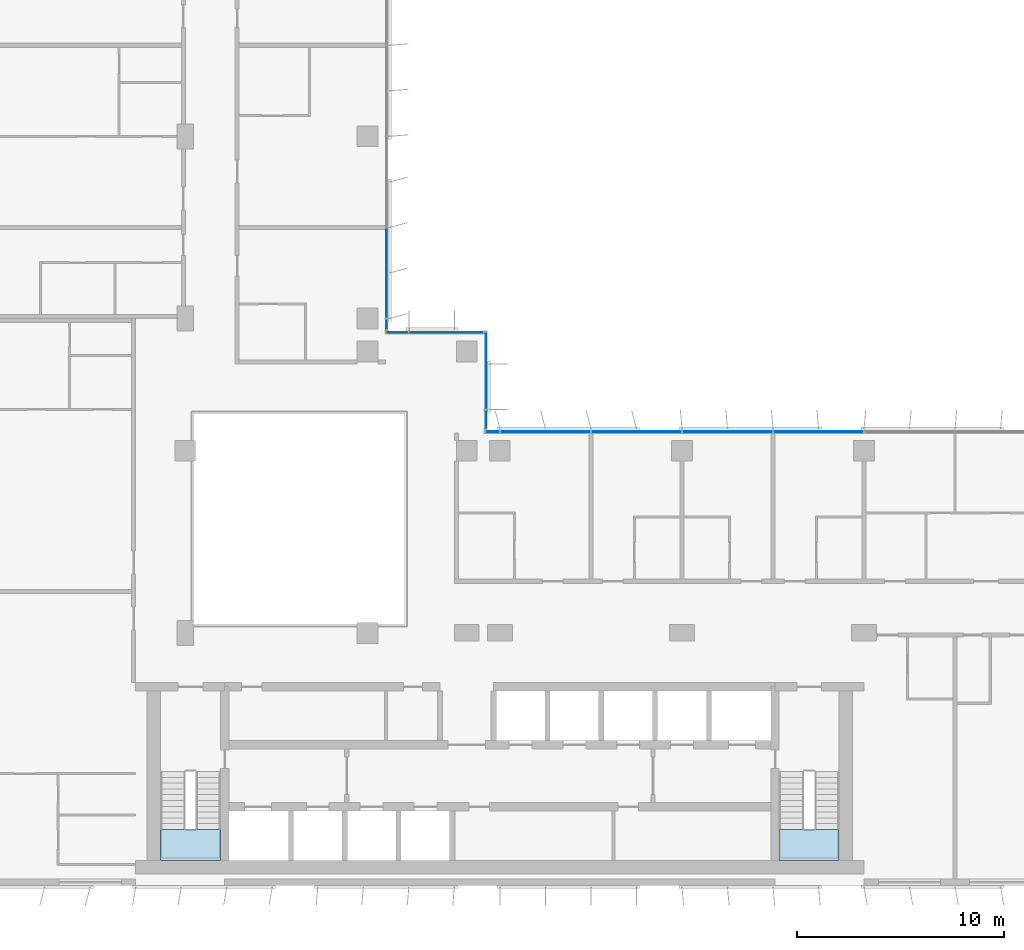
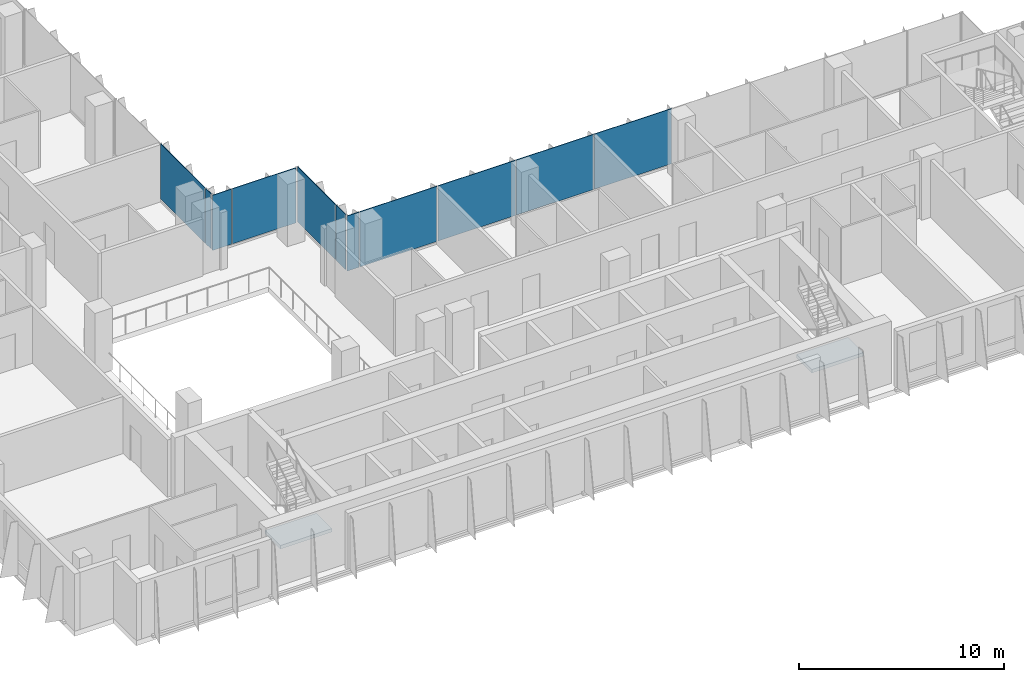
# One storey, part 10 of 21: 11 plates, 2 slabs, 6 elements without a shape of their own.
"""IFC4 building model written with IfcOpenShell, lengths in metres."""

import ifcopenshell
import ifcopenshell.guid

model = None  # the IFC model being written
_history = None  # IfcOwnerHistory: only IFC2X3 demands one
_inside = {}  # id of a spatial element -> (the spatial element, [elements in it])
_under = {}  # id of a project, library or spatial element -> (it, [spatial elements below it])
_declared = {}  # id of a project -> (the project, [libraries it declares])
_typed = {}  # id of a type object -> (the type object, [elements of that type])
_made_of = {}  # id of a material, layer set ... -> (it, [elements and type objects made of it])


def new_model(schema):
    """Start an empty IFC model of exactly this schema.

    Asked for "IFC4X3", IfcOpenShell would pick the latest addendum, in which some entities
    have other attributes; the version numbers below select the first issue.
    IFC2X3 requires an IfcOwnerHistory on every rooted entity: one is made here for all.
    """
    global model, _history
    if schema == "IFC4X3":
        model = ifcopenshell.file(schema_version=(4, 3, 0, 0))
    else:
        model = ifcopenshell.file(schema=schema)
    _inside.clear()
    _under.clear()
    _declared.clear()
    _typed.clear()
    _made_of.clear()
    _history = None
    if model.schema == "IFC2X3":
        org = make("IfcOrganization", Name="unknown")
        user = make(
            "IfcPersonAndOrganization",
            ThePerson=make("IfcPerson", FamilyName="unknown"),
            TheOrganization=org,
        )
        app = make(
            "IfcApplication",
            ApplicationDeveloper=org,
            Version="unknown",
            ApplicationFullName="unknown",
            ApplicationIdentifier="unknown",
        )
        _history = make(
            "IfcOwnerHistory",
            OwningUser=user,
            OwningApplication=app,
            ChangeAction="ADDED",
            CreationDate=0,
        )
    return model


def make(cls, **values):
    """One entity of the class cls with the attributes given. An attribute that is None is left unset."""
    return model.create_entity(
        cls, **{name: value for name, value in values.items() if value is not None}
    )


def rooted(cls, **values):
    """An entity with a GlobalId (a new one), such as an element, a storey or a relation."""
    return make(cls, GlobalId=ifcopenshell.guid.new(), OwnerHistory=_history, **values)


def si_unit(unit_type, name, prefix=None):
    """IfcSIUnit, for example si_unit("LENGTHUNIT", "METRE", prefix="MILLI")."""
    return make("IfcSIUnit", UnitType=unit_type, Prefix=prefix, Name=name)


def assignment(units):
    """IfcUnitAssignment: the units of a project."""
    return None if units is None else make("IfcUnitAssignment", Units=units)


def point(xyz):
    """IfcCartesianPoint."""
    return None if xyz is None else make("IfcCartesianPoint", Coordinates=xyz)


def direction(xyz):
    """IfcDirection."""
    return None if xyz is None else make("IfcDirection", DirectionRatios=xyz)


def frame(location, z_axis=None, x_axis=None):
    """IfcAxis2Placement3D, a coordinate frame: its origin and axes. An axis left out is left unset."""
    return make(
        "IfcAxis2Placement3D",
        Location=point(location),
        Axis=direction(z_axis),
        RefDirection=direction(x_axis),
    )


def frame_2d(location, x_axis=None):
    """IfcAxis2Placement2D, a coordinate frame in the plane: its origin and x axis."""
    return make(
        "IfcAxis2Placement2D", Location=point(location), RefDirection=direction(x_axis)
    )


def origin():
    """The frame at (0, 0, 0) with its axes left unset."""
    return frame((0.0, 0.0, 0.0))


def origin_2d():
    """The frame at (0, 0) in the plane with its x axis left unset."""
    return frame_2d((0.0, 0.0))


def place(relative_to, where):
    """IfcLocalPlacement: puts the frame where relative to a parent placement (None: the world)."""
    return make(
        "IfcLocalPlacement", PlacementRelTo=relative_to, RelativePlacement=where
    )


def context(
    kind, dimensions, precision=None, world=None, true_north=None, identifier=None
):
    """IfcGeometricRepresentationContext, for example the 3D "Model" context."""
    return make(
        "IfcGeometricRepresentationContext",
        ContextIdentifier=identifier,
        ContextType=kind,
        CoordinateSpaceDimension=dimensions,
        Precision=precision,
        WorldCoordinateSystem=world,
        TrueNorth=true_north,
    )


def subcontext(parent, identifier, kind, view, scale=None):
    """IfcGeometricRepresentationSubContext, for example "Body" below "Model"."""
    return make(
        "IfcGeometricRepresentationSubContext",
        ContextIdentifier=identifier,
        ContextType=kind,
        ParentContext=parent,
        TargetScale=scale,
        TargetView=view,
    )


def project(units=None, contexts=None):
    """IfcProject with its units and contexts."""
    return rooted(
        "IfcProject",
        Name="project",
        RepresentationContexts=contexts,
        UnitsInContext=assignment(units),
    )


def spatial(cls, under=None, at=None, **own):
    """A site, building, storey or space (cls), placed at a placement, below another one or the project."""
    s = rooted(cls, ObjectPlacement=at, **own)
    if under is not None:
        _under.setdefault(under.id(), (under, []))[1].append(s)
    return s


def polyline(points):
    """IfcPolyline through the points."""
    return make("IfcPolyline", Points=[point(p) for p in points])


def profile(cls, at=None, kind="AREA", **sizes):
    """A parametric profile (cls). Its sizes go by their IFC names, for example OverallWidth=200.0."""
    return make(cls, ProfileType=kind, Position=at, **sizes)


def rectangle(**sizes):
    """IfcRectangleProfileDef."""
    return profile("IfcRectangleProfileDef", **sizes)


def outline(outer, holes=None, kind="AREA"):
    """IfcArbitraryClosedProfileDef: a profile drawn as a closed curve; with holes, ...WithVoids."""
    if holes is None:
        return make("IfcArbitraryClosedProfileDef", ProfileType=kind, OuterCurve=outer)
    return make(
        "IfcArbitraryProfileDefWithVoids",
        ProfileType=kind,
        OuterCurve=outer,
        InnerCurves=holes,
    )


def extrude(swept, where, along, depth):
    """IfcExtrudedAreaSolid: the profile swept, set in the frame where, extruded along a direction by depth."""
    return make(
        "IfcExtrudedAreaSolid",
        SweptArea=swept,
        Position=where,
        ExtrudedDirection=direction(along),
        Depth=depth,
    )


def shape(context_of_items, identifier, shape_type, items):
    """IfcShapeRepresentation: the items that make up one representation, for example the "Body"."""
    return make(
        "IfcShapeRepresentation",
        ContextOfItems=context_of_items,
        RepresentationIdentifier=identifier,
        RepresentationType=shape_type,
        Items=items,
    )


def source(mapping_origin, context_of_items, identifier, shape_type, items):
    """IfcRepresentationMap: a shape defined once, which mapped items show again and again."""
    return make(
        "IfcRepresentationMap",
        MappingOrigin=mapping_origin,
        MappedRepresentation=shape(context_of_items, identifier, shape_type, items),
    )


def transform(
    local_origin,
    x_axis=None,
    y_axis=None,
    z_axis=None,
    scale=None,
    scale2=None,
    scale3=None,
    uniform=True,
):
    """IfcCartesianTransformationOperator3D, or its non-uniform kind. x_axis, y_axis, z_axis: its Axis1, 2, 3."""
    if uniform:
        return make(
            "IfcCartesianTransformationOperator3D",
            Axis1=direction(x_axis),
            Axis2=direction(y_axis),
            LocalOrigin=point(local_origin),
            Scale=scale,
            Axis3=direction(z_axis),
        )
    return make(
        "IfcCartesianTransformationOperator3DnonUniform",
        Axis1=direction(x_axis),
        Axis2=direction(y_axis),
        LocalOrigin=point(local_origin),
        Scale=scale,
        Axis3=direction(z_axis),
        Scale2=scale2,
        Scale3=scale3,
    )


def mapped(mapping_source, mapping_target):
    """IfcMappedItem: shows the shape of a source again, moved by a transform."""
    return make(
        "IfcMappedItem", MappingSource=mapping_source, MappingTarget=mapping_target
    )


def material(Name=None, Category=None):
    """IfcMaterial."""
    return make("IfcMaterial", Name=Name, Category=Category)


def layer(
    of_material, thickness, ventilated=None, Name=None, Category=None, Priority=None
):
    """IfcMaterialLayer: one layer of a wall or slab, of a material (None: an air gap)."""
    return make(
        "IfcMaterialLayer",
        Material=of_material,
        LayerThickness=thickness,
        IsVentilated=ventilated,
        Name=Name,
        Category=Category,
        Priority=Priority,
    )


def layer_set(layers, Name=None):
    """IfcMaterialLayerSet."""
    return make("IfcMaterialLayerSet", MaterialLayers=layers, LayerSetName=Name)


def made_of(thing, what):
    """Note that an element or type object is made of a material, layer set ...; save() writes the relation."""
    if what is not None:
        _made_of.setdefault(what.id(), (what, []))[1].append(thing)
    return thing


def type_object(cls, material=None, **own):
    """A type object (cls), such as IfcWallType, which elements share."""
    return made_of(rooted(cls, **own), material)


def element(
    cls,
    number,
    at=None,
    inside=None,
    cuts=None,
    type_object=None,
    material=None,
    context=None,
    identifier="Body",
    shape_type=None,
    held_by="IfcProductDefinitionShape",
    body=None,
    shapes=None,
    **own,
):
    """One element of the class cls, such as IfcWall. Its Tag is "e" and its number.

    at: its placement. inside: the storey or other place that contains it. cuts: it is an
    opening in that element (IfcRelVoidsElement). A single representation is given by context,
    identifier, shape_type and body (its items); several are given by shapes. held_by: the class
    of the entity that holds the representations. save() writes the other relations.
    """
    e = rooted(cls, Tag="e%d" % number, ObjectPlacement=at, **own)
    if body is not None:
        shapes = [shape(context, identifier, shape_type, body)]
    if shapes is not None:
        e.Representation = make(held_by, Representations=shapes)
    if inside is not None:
        _inside.setdefault(inside.id(), (inside, []))[1].append(e)
    if cuts is not None:
        rooted(
            "IfcRelVoidsElement", RelatingBuildingElement=cuts, RelatedOpeningElement=e
        )
    if type_object is not None:
        _typed.setdefault(type_object.id(), (type_object, []))[1].append(e)
    return made_of(e, material)


def aggregate(whole, parts):
    """IfcRelAggregates: a whole, such as a stair, and the parts it consists of."""
    return rooted("IfcRelAggregates", RelatingObject=whole, RelatedObjects=parts)


def save(model, path):
    """Write the relations noted so far, then the file.

    IfcRelAggregates (storeys below a building ...), IfcRelContainedInSpatialStructure (elements
    in a storey), IfcRelDefinesByType, IfcRelAssociatesMaterial and IfcRelDeclares: one each for
    every whole, place, type object, material and project.
    """
    for whole, parts in _under.values():
        aggregate(whole, parts)
    for where, things in _inside.values():
        rooted(
            "IfcRelContainedInSpatialStructure",
            RelatedElements=things,
            RelatingStructure=where,
        )
    for kind, things in _typed.values():
        rooted("IfcRelDefinesByType", RelatedObjects=things, RelatingType=kind)
    for what, things in _made_of.values():
        rooted("IfcRelAssociatesMaterial", RelatedObjects=things, RelatingMaterial=what)
    for by, libraries in _declared.values():
        rooted("IfcRelDeclares", RelatingContext=by, RelatedDefinitions=libraries)
    model.write(path)


model = new_model("IFC4")

# Units and contexts
model_context = context("Model", 3, precision=1e-05, world=origin(), true_north=direction((0.0, 1.0)))
body_context = subcontext(model_context, "Body", "Model", "MODEL_VIEW")
ifc_project = project(units=[si_unit("LENGTHUNIT", "METRE"), si_unit("AREAUNIT", "SQUARE_METRE"), si_unit("VOLUMEUNIT", "CUBIC_METRE"), si_unit("PLANEANGLEUNIT", "RADIAN"), si_unit("MASSUNIT", "GRAM", prefix="KILO")], contexts=[model_context])

# Site, building, storey
site_placement = place(None, origin())
site = spatial("IfcSite", under=ifc_project, at=site_placement, CompositionType="ELEMENT")
building_placement = place(site_placement, origin())
building = spatial("IfcBuilding", under=site, at=building_placement, Name="Kemantara Hotel Tower", CompositionType="ELEMENT")
storey_placement = place(building_placement, frame((0.0, 0.0, 211.699951171875)))
storey = spatial("IfcBuildingStorey", under=building, at=storey_placement, Name="L52", CompositionType="ELEMENT", Elevation=211.699951171875)

# Stair, slab
ifc_material_1 = material(Name="Concrete fc 40 MPa", Category="concrete")
stair_type = type_object("IfcStairType", Name="Stair 1200 wide 22 risers of 168 x 280 mm", PredefinedType="HALF_TURN_STAIR", material=ifc_material_1)
stair_1_placement = place(storey_placement, origin())
stair_1 = element("IfcStair", 1, at=stair_1_placement, inside=storey, type_object=stair_type, Name="L52 Exit stair ST1", PredefinedType="HALF_TURN_STAIR")
ifc_layer_1 = layer(ifc_material_1, 0.199951171875)
ifc_layer_set_1 = layer_set([ifc_layer_1], Name="Concrete fc 40 MPa")
slab_type = type_object("IfcSlabType", Name="Stair landing 200 mm", PredefinedType="LANDING", material=ifc_layer_set_1)
slab_1_placement = place(storey_placement, frame((0.0, 0.0, 1.650146484375)))
slab_1 = element("IfcSlab", 2, at=slab_1_placement, type_object=slab_type, Name="ST1 landing 1", PredefinedType="LANDING", context=body_context, shape_type="SweptSolid", body=[
    extrude(outline(polyline([(11.0, 2.699951171875), (11.0, 1.199951171875), (13.89990234375, 1.199951171875), (13.89990234375, 2.699951171875), (11.0, 2.699951171875)])), origin(), (0.0, 0.0, 1.0), 0.199951171875),
])
aggregate(stair_1, [slab_1])

stair_2_placement = place(storey_placement, origin())
stair_2 = element("IfcStair", 3, at=stair_2_placement, inside=storey, type_object=stair_type, Name="L52 Exit stair ST2", PredefinedType="HALF_TURN_STAIR")
slab_2_placement = place(storey_placement, frame((0.0, 0.0, 1.650146484375)))
slab_2 = element("IfcSlab", 4, at=slab_2_placement, type_object=slab_type, Name="ST2 landing 1", PredefinedType="LANDING", context=body_context, shape_type="SweptSolid", body=[
    extrude(outline(polyline([(40.89990234375, 2.699951171875), (40.89990234375, 1.199951171875), (43.800048828125, 1.199951171875), (43.800048828125, 2.699951171875), (40.89990234375, 2.699951171875)])), origin(), (0.0, 0.0, 1.0), 0.199951171875),
])
aggregate(stair_2, [slab_2])

# Curtain wall, plates
ifc_material_2 = material(Name="Low-E tinted double insulated glass 36 mm", Category="glass")
curtain_wall_type = type_object("IfcCurtainWallType", Name="TOWER CURTAIN WALL, FRONT FACES", PredefinedType="USERDEFINED", material=ifc_material_2)
curtain_wall_1_placement = place(storey_placement, origin())
curtain_wall_1 = element("IfcCurtainWall", 5, at=curtain_wall_1_placement, inside=storey, type_object=curtain_wall_type, Name="CW4 L52 T3-R14-1", ObjectType="TOWER CURTAIN WALL, FRONT FACES", PredefinedType="USERDEFINED")
ifc_layer_2 = layer(ifc_material_2, 0.035888671875)
ifc_layer_set_2 = layer_set([ifc_layer_2], Name="Low-E tinted double insulated glass 36 mm")
plate_type = type_object("IfcPlateType", Name="TOWER CURTAIN WALL, FRONT FACES PANEL", PredefinedType="CURTAIN_PANEL", material=ifc_layer_set_2)
shared_shape_1 = source(origin(), body_context, "Body", "SweptSolid", [
    extrude(rectangle(XDim=4.340087890625, YDim=0.035888671875, at=origin_2d()), origin(), (0.0, 0.0, 1.0), 3.280029296875),
])
plate_1_placement = place(storey_placement, frame((42.800048828125, 21.925048828125, 0.1201171875), z_axis=(0.0, 0.0, 1.0), x_axis=(-1.0, 0.0, 0.0)))
plate_1 = element("IfcPlate", 6, at=plate_1_placement, type_object=plate_type, Name="CW4 glass panel T3-R14-1.5", PredefinedType="CURTAIN_PANEL", context=body_context, shape_type="MappedRepresentation", body=[
    mapped(shared_shape_1, transform((0.0, 0.0, 0.0))),
])
plate_2_placement = place(storey_placement, frame((38.39990234375, 21.925048828125, 0.1201171875), z_axis=(0.0, 0.0, 1.0), x_axis=(-1.0, 0.0, 0.0)))
plate_2 = element("IfcPlate", 7, at=plate_2_placement, type_object=plate_type, Name="CW4 glass panel T3-R14-1.6", PredefinedType="CURTAIN_PANEL", context=body_context, shape_type="MappedRepresentation", body=[
    mapped(shared_shape_1, transform((0.0, 0.0, 0.0))),
])
plate_3_placement = place(storey_placement, frame((34.0, 21.925048828125, 0.1201171875), z_axis=(0.0, 0.0, 1.0), x_axis=(-1.0, 0.0, 0.0)))
plate_3 = element("IfcPlate", 8, at=plate_3_placement, type_object=plate_type, Name="CW4 glass panel T3-R14-1.7", PredefinedType="CURTAIN_PANEL", context=body_context, shape_type="MappedRepresentation", body=[
    mapped(shared_shape_1, transform((0.0, 0.0, 0.0))),
])
plate_4_placement = place(storey_placement, frame((29.60009765625, 21.925048828125, 0.1201171875), z_axis=(0.0, 0.0, 1.0), x_axis=(-1.0, 0.0, 0.0)))
plate_4 = element("IfcPlate", 9, at=plate_4_placement, type_object=plate_type, Name="CW4 glass panel T3-R14-1.8", PredefinedType="CURTAIN_PANEL", context=body_context, shape_type="MappedRepresentation", body=[
    mapped(shared_shape_1, transform((0.0, 0.0, 0.0))),
])

# Curtain wall, plate
curtain_wall_2_placement = place(storey_placement, origin())
curtain_wall_2 = element("IfcCurtainWall", 10, at=curtain_wall_2_placement, inside=storey, type_object=curtain_wall_type, Name="CW4 L52 T3-R17-1", ObjectType="TOWER CURTAIN WALL, FRONT FACES", PredefinedType="USERDEFINED")
plate_5_placement = place(storey_placement, frame((21.925048828125, 29.60009765625, 0.1201171875), z_axis=(0.0, 0.0, 1.0), x_axis=(0.0, 1.0, 0.0)))
plate_5 = element("IfcPlate", 11, at=plate_5_placement, type_object=plate_type, Name="CW4 glass panel T3-R17-1.2", PredefinedType="CURTAIN_PANEL", context=body_context, shape_type="MappedRepresentation", body=[
    mapped(shared_shape_1, transform((0.0, 0.0, 0.0))),
])

# Plate
shared_shape_2 = source(origin(), body_context, "Body", "SweptSolid", [
    extrude(rectangle(XDim=0.659912109375, YDim=0.035888671875, at=origin_2d()), origin(), (0.0, 0.0, 1.0), 3.280029296875),
])
plate_6_placement = place(storey_placement, frame((27.0400390625, 21.925048828125, 0.1201171875), z_axis=(0.0, 0.0, 1.0), x_axis=(-1.0, 0.0, 0.0)))
plate_6 = element("IfcPlate", 12, at=plate_6_placement, type_object=plate_type, Name="CW4 glass panel T3-R14-1.9", PredefinedType="CURTAIN_PANEL", context=body_context, shape_type="MappedRepresentation", body=[
    mapped(shared_shape_2, transform((0.0, 0.0, 0.0))),
])

aggregate(curtain_wall_1, [plate_1, plate_2, plate_3, plate_4, plate_6])

shared_shape_3 = source(origin(), body_context, "Body", "SweptSolid", [
    extrude(rectangle(XDim=0.510009765625, YDim=0.035888671875, at=origin_2d()), origin(), (0.0, 0.0, 1.0), 3.280029296875),
])
plate_7_placement = place(storey_placement, frame((21.925048828125, 27.114990234375, 0.1201171875), z_axis=(0.0, 0.0, 1.0), x_axis=(0.0, 1.0, 0.0)))
plate_7 = element("IfcPlate", 13, at=plate_7_placement, type_object=plate_type, Name="CW4 glass panel T3-R17-1.1", PredefinedType="CURTAIN_PANEL", context=body_context, shape_type="MappedRepresentation", body=[
    mapped(shared_shape_3, transform((0.0, 0.0, 0.0))),
])

aggregate(curtain_wall_2, [plate_7, plate_5])

# Curtain wall, plates
curtain_wall_3_placement = place(storey_placement, origin())
curtain_wall_3 = element("IfcCurtainWall", 14, at=curtain_wall_3_placement, inside=storey, type_object=curtain_wall_type, Name="CW4 L52 T3-R15-1", ObjectType="TOWER CURTAIN WALL, FRONT FACES", PredefinedType="USERDEFINED")
shared_shape_4 = source(origin(), body_context, "Body", "SweptSolid", [
    extrude(rectangle(XDim=0.909912109375, YDim=0.035888671875, at=origin_2d()), origin(), (0.0, 0.0, 1.0), 3.280029296875),
])
plate_8_placement = place(storey_placement, frame((26.72509765625, 22.514892578125, 0.1201171875), z_axis=(0.0, 0.0, 1.0), x_axis=(0.0, 1.0, 0.0)))
plate_8 = element("IfcPlate", 15, at=plate_8_placement, type_object=plate_type, Name="CW4 glass panel T3-R15-1.1", PredefinedType="CURTAIN_PANEL", context=body_context, shape_type="MappedRepresentation", body=[
    mapped(shared_shape_4, transform((0.0, 0.0, 0.0))),
])
shared_shape_5 = source(origin(), body_context, "Body", "SweptSolid", [
    extrude(rectangle(XDim=3.7099609375, YDim=0.035888671875, at=origin_2d()), origin(), (0.0, 0.0, 1.0), 3.280029296875),
])
plate_9_placement = place(storey_placement, frame((26.72509765625, 24.885009765625, 0.1201171875), z_axis=(0.0, 0.0, 1.0), x_axis=(0.0, 1.0, 0.0)))
plate_9 = element("IfcPlate", 16, at=plate_9_placement, type_object=plate_type, Name="CW4 glass panel T3-R15-1.2", PredefinedType="CURTAIN_PANEL", context=body_context, shape_type="MappedRepresentation", body=[
    mapped(shared_shape_5, transform((0.0, 0.0, 0.0))),
])
aggregate(curtain_wall_3, [plate_8, plate_9])

curtain_wall_4_placement = place(storey_placement, origin())
curtain_wall_4 = element("IfcCurtainWall", 17, at=curtain_wall_4_placement, inside=storey, type_object=curtain_wall_type, Name="CW4 L52 T3-R16-1", ObjectType="TOWER CURTAIN WALL, FRONT FACES", PredefinedType="USERDEFINED")
shared_shape_6 = source(origin(), body_context, "Body", "SweptSolid", [
    extrude(rectangle(XDim=3.56005859375, YDim=0.035888671875, at=origin_2d()), origin(), (0.0, 0.0, 1.0), 3.280029296875),
])
plate_10_placement = place(storey_placement, frame((24.81005859375, 26.72509765625, 0.1201171875), z_axis=(0.0, 0.0, 1.0), x_axis=(-1.0, 0.0, 0.0)))
plate_10 = element("IfcPlate", 18, at=plate_10_placement, type_object=plate_type, Name="CW4 glass panel T3-R16-1.1", PredefinedType="CURTAIN_PANEL", context=body_context, shape_type="MappedRepresentation", body=[
    mapped(shared_shape_6, transform((0.0, 0.0, 0.0))),
])
shared_shape_7 = source(origin(), body_context, "Body", "SweptSolid", [
    extrude(rectangle(XDim=1.06005859375, YDim=0.035888671875, at=origin_2d()), origin(), (0.0, 0.0, 1.0), 3.280029296875),
])
plate_11_placement = place(storey_placement, frame((22.43994140625, 26.72509765625, 0.1201171875), z_axis=(0.0, 0.0, 1.0), x_axis=(-1.0, 0.0, 0.0)))
plate_11 = element("IfcPlate", 19, at=plate_11_placement, type_object=plate_type, Name="CW4 glass panel T3-R16-1.2", PredefinedType="CURTAIN_PANEL", context=body_context, shape_type="MappedRepresentation", body=[
    mapped(shared_shape_7, transform((0.0, 0.0, 0.0))),
])
aggregate(curtain_wall_4, [plate_10, plate_11])

save(model, "model.ifc")
